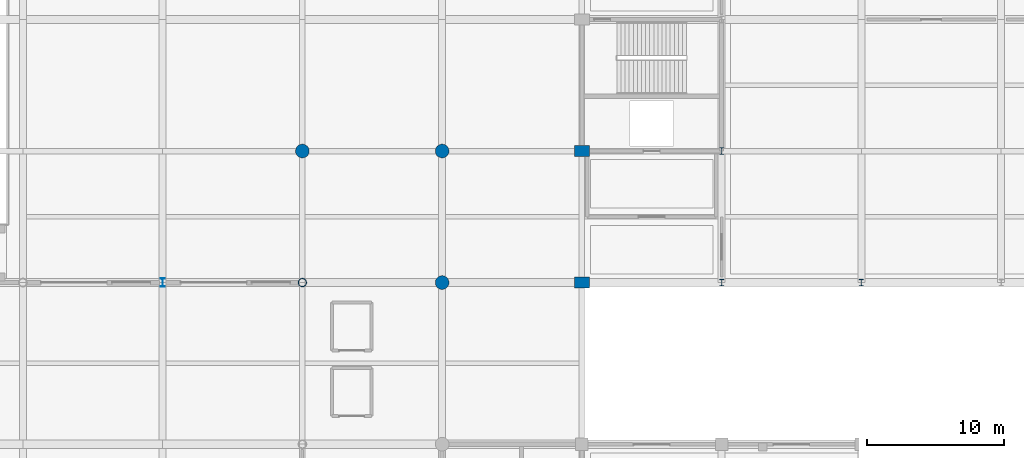
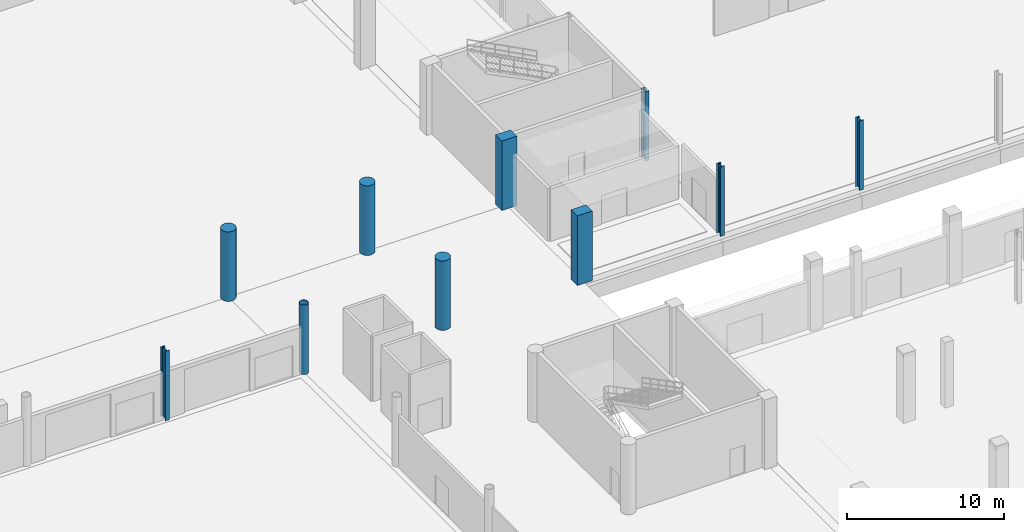
# One storey, part 16 of 124: 10 columns.
"""IFC4 building model written with IfcOpenShell, lengths in metres."""

from ifc_helpers import new_model, si_unit, direction, frame, origin, origin_2d, place, context, subcontext, project, spatial, rectangle, circle, hollow_circle, i_section, extrude, material, material_profile, profile_set, type_object, element, save


model = new_model("IFC4")

# Units and contexts
model_context = context("Model", 3, precision=1e-05, world=origin(), true_north=direction((0.0, 1.0)))
body_context = subcontext(model_context, "Body", "Model", "MODEL_VIEW")
ifc_project = project(units=[si_unit("LENGTHUNIT", "METRE"), si_unit("AREAUNIT", "SQUARE_METRE"), si_unit("VOLUMEUNIT", "CUBIC_METRE"), si_unit("PLANEANGLEUNIT", "RADIAN"), si_unit("MASSUNIT", "GRAM", prefix="KILO")], contexts=[model_context])

# Site, building, storey
site_placement = place(None, origin())
site = spatial("IfcSite", under=ifc_project, at=site_placement, CompositionType="ELEMENT")
building_placement = place(site_placement, origin())
building = spatial("IfcBuilding", under=site, at=building_placement, Name="Brelvane Convention Centre", CompositionType="ELEMENT")
storey_placement = place(building_placement, origin())
storey = spatial("IfcBuildingStorey", under=building, at=storey_placement, Name="L00", CompositionType="ELEMENT", Elevation=0.0)

# Columns
ifc_material_1 = material(Name="Concrete M50", Category="concrete")
ifc_material_profile_1 = material_profile(ifc_material_1, rectangle(XDim=1.10009765625, YDim=0.800048828125, at=origin_2d()), Name="RC 1100x800")
ifc_profile_set_1 = profile_set([ifc_material_profile_1], Name="Concrete M50")
column_type_1 = type_object("IfcColumnType", Name="RC Column C-RC11 (RC 1100x800)", PredefinedType="COLUMN", material=ifc_profile_set_1)
for number, where, z_axis, x_axis, name in (
    (1, (163.199951171875, 99.60009765625, 0.0), (0.0, 0.0, 1.0), (1.0, 0.0, 0.0), "Column 17-K (L00)"),
    (2, (163.199951171875, 109.199951171875, 0.0), (0.0, 0.0, 1.0), (1.0, 0.0, 0.0), "Column 17-L (L00)"),
):
    element("IfcColumn", number, at=place(storey_placement, frame(where, z_axis=z_axis, x_axis=x_axis)), inside=storey, type_object=column_type_1, Name=name, PredefinedType="COLUMN", context=body_context, shape_type="SweptSolid", body=[
        extrude(rectangle(XDim=1.10009765625, YDim=0.800048828125, at=origin_2d()), origin(), (0.0, 0.0, 1.0), 5.39990234375),
    ])
ifc_material_2 = material(Name="Concrete M50", Category="concrete")
ifc_material_profile_2 = material_profile(ifc_material_2, circle(Radius=0.5, at=origin_2d()), Name="RC-CIRC D1000")
ifc_profile_set_2 = profile_set([ifc_material_profile_2], Name="Concrete M50")
column_type_2 = type_object("IfcColumnType", Name="RC Column C-RC6 (RC-CIRC D1000)", PredefinedType="COLUMN", material=ifc_profile_set_2)
for number, where, z_axis, x_axis, name in (
    (3, (142.800048828125, 109.199951171875, 0.0), (0.0, 0.0, 1.0), (1.0, 0.0, 0.0), "Column 15-L (L00)"),
    (4, (153.0, 99.60009765625, 0.0), (0.0, 0.0, 1.0), (1.0, 0.0, 0.0), "Column 16-K (L00)"),
    (5, (153.0, 109.199951171875, 0.0), (0.0, 0.0, 1.0), (1.0, 0.0, 0.0), "Column 16-L (L00)"),
):
    element("IfcColumn", number, at=place(storey_placement, frame(where, z_axis=z_axis, x_axis=x_axis)), inside=storey, type_object=column_type_2, Name=name, PredefinedType="COLUMN", context=body_context, shape_type="SweptSolid", body=[
        extrude(circle(Radius=0.5, at=origin_2d()), origin(), (0.0, 0.0, 1.0), 5.39990234375),
    ])
ifc_material_3 = material(Name="Steel E450 (450 MPa)", Category="steel")
ifc_material_profile_3 = material_profile(ifc_material_3, hollow_circle(Radius=0.304931640625, WallThickness=0.02490234375, at=origin_2d()), Name="CHS 610.0x25.0")
ifc_profile_set_3 = profile_set([ifc_material_profile_3], Name="Steel E450 (450 MPa)")
column_type_3 = type_object("IfcColumnType", Name="Steel Column C-ST1 (CHS 610.0x25.0)", PredefinedType="COLUMN", material=ifc_profile_set_3)
column_1_placement = place(storey_placement, frame((142.800048828125, 99.60009765625, 0.0), z_axis=(0.0, 0.0, 1.0), x_axis=(1.0, 0.0, 0.0)))
element("IfcColumn", 6, at=column_1_placement, inside=storey, type_object=column_type_3, Name="Column 15-K (L00)", PredefinedType="COLUMN", context=body_context, shape_type="SweptSolid", body=[
    extrude(hollow_circle(Radius=0.304931640625, WallThickness=0.02490234375, at=origin_2d()), origin(), (0.0, 0.0, 1.0), 5.39990234375),
])
ifc_material_4 = material(Name="Steel E450 (450 MPa)", Category="steel")
ifc_material_profile_4 = material_profile(ifc_material_4, i_section(OverallWidth=0.300048828125, OverallDepth=0.60009765625, WebThickness=0.015380859375, FlangeThickness=0.030029296875, FilletRadius=0.027099609375, at=origin_2d()), Name="WPB 600x300")
ifc_profile_set_4 = profile_set([ifc_material_profile_4], Name="Steel E450 (450 MPa)")
column_type_4 = type_object("IfcColumnType", Name="Steel Column C-ST5 (WPB 600x300)", PredefinedType="COLUMN", material=ifc_profile_set_4)
column_2_placement = place(storey_placement, frame((132.60009765625, 99.60009765625, 0.0), z_axis=(0.0, 0.0, 1.0), x_axis=(1.0, 0.0, 0.0)))
element("IfcColumn", 7, at=column_2_placement, inside=storey, type_object=column_type_4, Name="Column 14-K (L00)", PredefinedType="COLUMN", context=body_context, shape_type="SweptSolid", body=[
    extrude(i_section(OverallWidth=0.300048828125, OverallDepth=0.60009765625, WebThickness=0.015380859375, FlangeThickness=0.030029296875, FilletRadius=0.027099609375, at=origin_2d()), origin(), (0.0, 0.0, 1.0), 5.39990234375),
])
ifc_material_5 = material(Name="Steel E350 (350 MPa)", Category="steel")
ifc_material_profile_5 = material_profile(ifc_material_5, i_section(OverallWidth=0.300048828125, OverallDepth=0.5, WebThickness=0.014404296875, FlangeThickness=0.028076171875, FilletRadius=0.027099609375, at=origin_2d()), Name="WPB 500x300")
ifc_profile_set_5 = profile_set([ifc_material_profile_5], Name="Steel E350 (350 MPa)")
column_type_5 = type_object("IfcColumnType", Name="Steel Column C-ST6 (WPB 500x300)", PredefinedType="COLUMN", material=ifc_profile_set_5)
for number, where, z_axis, x_axis, name in (
    (8, (173.39990234375, 99.60009765625, 0.0), (0.0, 0.0, 1.0), (1.0, 0.0, 0.0), "Column 18-K (L00)"),
    (9, (173.39990234375, 109.199951171875, 0.0), (0.0, 0.0, 1.0), (1.0, 0.0, 0.0), "Column 18-L (L00)"),
    (10, (183.60009765625, 99.60009765625, 0.0), (0.0, 0.0, 1.0), (1.0, 0.0, 0.0), "Column 19-K (L00)"),
):
    element("IfcColumn", number, at=place(storey_placement, frame(where, z_axis=z_axis, x_axis=x_axis)), inside=storey, type_object=column_type_5, Name=name, PredefinedType="COLUMN", context=body_context, shape_type="SweptSolid", body=[
        extrude(i_section(OverallWidth=0.300048828125, OverallDepth=0.5, WebThickness=0.014404296875, FlangeThickness=0.028076171875, FilletRadius=0.027099609375, at=origin_2d()), origin(), (0.0, 0.0, 1.0), 5.39990234375),
    ])

save(model, "model.ifc")
